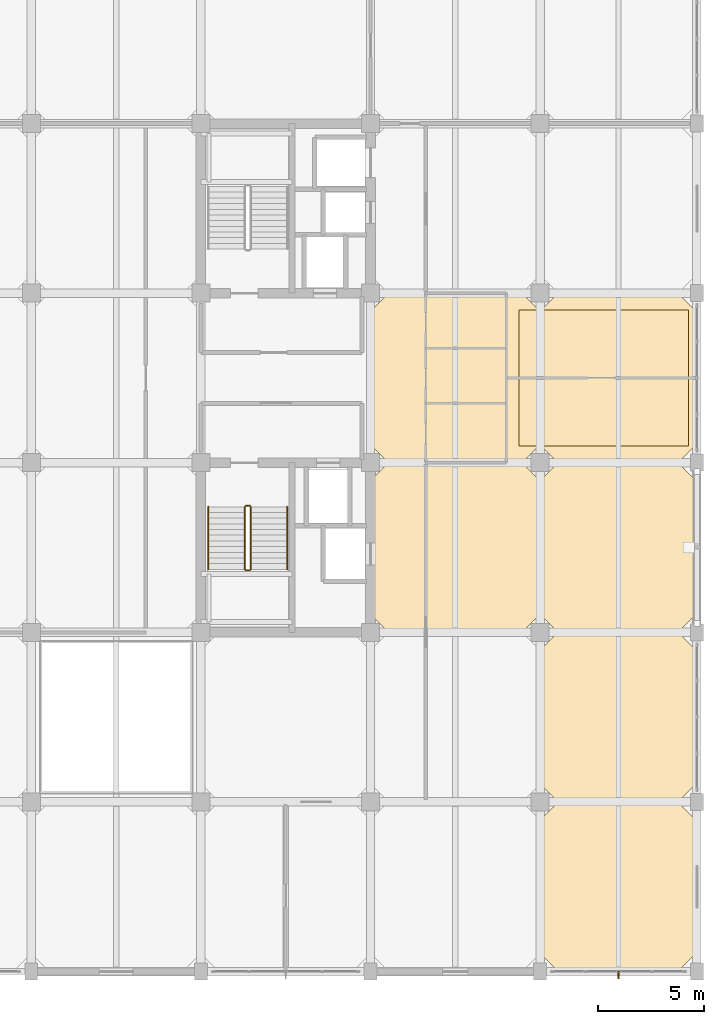
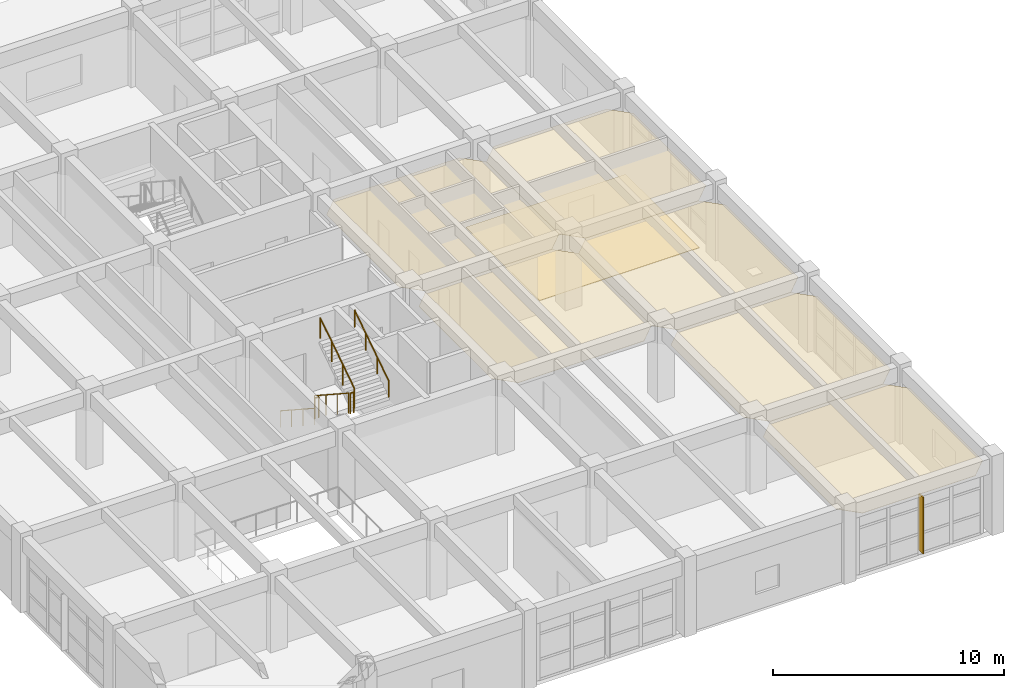
# One storey, part 28 of 30: 7 coverings, 6 railings, 1 shading device.
"""IFC4 building model written with IfcOpenShell, lengths in metres."""

from ifc_helpers import new_model, si_unit, direction, frame, origin, origin_2d, place, context, subcontext, project, spatial, polyline, rectangle, circle, outline, extrude, material, layer, layer_set, type_object, element, save


model = new_model("IFC4")

# Units and contexts
model_context = context("Model", 3, precision=1e-05, world=origin(), true_north=direction((0.0, 1.0)))
body_context = subcontext(model_context, "Body", "Model", "MODEL_VIEW")
ifc_project = project(units=[si_unit("LENGTHUNIT", "METRE"), si_unit("AREAUNIT", "SQUARE_METRE"), si_unit("VOLUMEUNIT", "CUBIC_METRE"), si_unit("PLANEANGLEUNIT", "RADIAN"), si_unit("MASSUNIT", "GRAM", prefix="KILO")], contexts=[model_context])

# Site, building, storey
site_placement = place(None, origin())
site = spatial("IfcSite", under=ifc_project, at=site_placement, CompositionType="ELEMENT")
building_placement = place(site_placement, origin())
building = spatial("IfcBuilding", under=site, at=building_placement, Name="Canggui Botanical Conservatory", CompositionType="ELEMENT")
storey_placement = place(building_placement, frame((0.0, 0.0, 19.199951171875)))
storey = spatial("IfcBuildingStorey", under=building, at=storey_placement, Name="L05", CompositionType="ELEMENT", Elevation=19.199951171875)

# Coverings
ifc_material_1 = material(Name="Mineral Fibre Acoustic Board")
ifc_layer_1 = layer(ifc_material_1, 0.014892578125, Name="Mineral Fibre Acoustic Board")
ifc_layer_set_1 = layer_set([ifc_layer_1], Name="Mineral Fibre Acoustic Board")
covering_type_1 = type_object("IfcCoveringType", Name="COV-CEIL-15", PredefinedType="CEILING", material=ifc_layer_set_1)
covering_1_placement = place(storey_placement, frame((0.0, 0.0, 3.14501953125)))
element("IfcCovering", 1, at=covering_1_placement, inside=storey, type_object=covering_type_1, Name="Suspended Acoustic Ceiling L05-162-42", PredefinedType="CEILING", context=body_context, shape_type="SweptSolid", body=[
    extrude(outline(polyline([(162.85009765625, 42.0), (169.14990234375, 42.0), (170.0, 42.85009765625), (170.0, 49.14990234375), (169.14990234375, 50.0), (162.85009765625, 50.0), (162.0, 49.14990234375), (162.0, 42.85009765625), (162.85009765625, 42.0)])), origin(), (0.0, 0.0, 1.0), 0.01513671875),
])
covering_2_placement = place(storey_placement, frame((0.0, 0.0, 3.14501953125)))
element("IfcCovering", 2, at=covering_2_placement, inside=storey, type_object=covering_type_1, Name="Suspended Acoustic Ceiling L05-170-34", PredefinedType="CEILING", context=body_context, shape_type="SweptSolid", body=[
    extrude(outline(polyline([(170.85009765625, 34.0), (176.5, 34.0), (177.35009765625, 34.85009765625), (177.35009765625, 41.14990234375), (176.5, 42.0), (170.85009765625, 42.0), (170.0, 41.14990234375), (170.0, 34.85009765625), (170.85009765625, 34.0)])), origin(), (0.0, 0.0, 1.0), 0.01513671875),
])
covering_3_placement = place(storey_placement, frame((0.0, 0.0, 3.14501953125)))
element("IfcCovering", 3, at=covering_3_placement, inside=storey, type_object=covering_type_1, Name="Suspended Acoustic Ceiling L05-170-50", PredefinedType="CEILING", context=body_context, shape_type="SweptSolid", body=[
    extrude(outline(polyline([(170.85009765625, 50.0), (176.5, 50.0), (177.35009765625, 50.85009765625), (177.35009765625, 57.14990234375), (176.5, 58.0), (170.85009765625, 58.0), (170.0, 57.14990234375), (170.0, 50.85009765625), (170.85009765625, 50.0)])), origin(), (0.0, 0.0, 1.0), 0.01513671875),
])
ifc_material_2 = material(Name="Perforated Gypsum Acoustic Panel")
ifc_layer_2 = layer(ifc_material_2, 0.02001953125, Name="Perforated Gypsum Acoustic Panel")
ifc_layer_set_2 = layer_set([ifc_layer_2], Name="Perforated Gypsum Acoustic Panel")
covering_type_2 = type_object("IfcCoveringType", Name="COV-CEIL-20", PredefinedType="CEILING", material=ifc_layer_set_2)
covering_4_placement = place(storey_placement, frame((0.0, 0.0, 3.14013671875)))
element("IfcCovering", 4, at=covering_4_placement, inside=storey, type_object=covering_type_2, Name="Suspended Acoustic Ceiling L05-162-50", PredefinedType="CEILING", context=body_context, shape_type="SweptSolid", body=[
    extrude(outline(polyline([(162.85009765625, 50.0), (169.14990234375, 50.0), (170.0, 50.85009765625), (170.0, 57.14990234375), (169.14990234375, 58.0), (162.85009765625, 58.0), (162.0, 57.14990234375), (162.0, 50.85009765625), (162.85009765625, 50.0)])), origin(), (0.0, 0.0, 1.0), 0.02001953125),
])
covering_5_placement = place(storey_placement, frame((0.0, 0.0, 3.14013671875)))
element("IfcCovering", 5, at=covering_5_placement, inside=storey, type_object=covering_type_2, Name="Suspended Acoustic Ceiling L05-170-26", PredefinedType="CEILING", context=body_context, shape_type="SweptSolid", body=[
    extrude(outline(polyline([(170.85009765625, 26.0), (176.5, 26.0), (177.35009765625, 26.85009765625), (177.35009765625, 33.14990234375), (176.5, 34.0), (170.85009765625, 34.0), (170.0, 33.14990234375), (170.0, 26.85009765625), (170.85009765625, 26.0)])), origin(), (0.0, 0.0, 1.0), 0.02001953125),
])
covering_6_placement = place(storey_placement, frame((0.0, 0.0, 3.14013671875)))
element("IfcCovering", 6, at=covering_6_placement, inside=storey, type_object=covering_type_2, Name="Suspended Acoustic Ceiling L05-170-42", PredefinedType="CEILING", context=body_context, shape_type="SweptSolid", body=[
    extrude(outline(polyline([(170.85009765625, 42.0), (176.5, 42.0), (177.35009765625, 42.85009765625), (177.35009765625, 49.14990234375), (176.5, 50.0), (170.85009765625, 50.0), (170.0, 49.14990234375), (170.0, 42.85009765625), (170.85009765625, 42.0)])), origin(), (0.0, 0.0, 1.0), 0.02001953125),
])
ifc_material_3 = material(Name="Honed Granite Stone Tile", Category="masonry")
ifc_layer_3 = layer(ifc_material_3, 0.02001953125, Name="Honed Granite Stone Tile", Category="masonry")
ifc_layer_set_3 = layer_set([ifc_layer_3], Name="Honed Granite Stone Tile")
covering_type_3 = type_object("IfcCoveringType", Name="COV-FLR-20", PredefinedType="FLOORING", material=ifc_layer_set_3)
covering_7_placement = place(storey_placement, origin())
element("IfcCovering", 7, at=covering_7_placement, inside=storey, type_object=covering_type_3, Name="Laboratory Finish Flooring L05", PredefinedType="FLOORING", context=body_context, shape_type="SweptSolid", body=[
    extrude(outline(polyline([(169.0, 50.800048828125), (177.0, 50.800048828125), (177.0, 57.199951171875), (169.0, 57.199951171875), (169.0, 50.800048828125)])), origin(), (0.0, 0.0, 1.0), 0.02001953125),
])

# Railings
ifc_material_4 = material(Name="Stainless Steel 304", Category="steel")
railing_type_1 = type_object("IfcRailingType", Name="RAIL-GUARD-1100", PredefinedType="BALUSTRADE", material=ifc_material_4)
railing_1_placement = place(storey_placement, frame((156.070068359375, 47.919921875, 0.175048828125)))
element("IfcRailing", 8, at=railing_1_placement, inside=storey, type_object=railing_type_1, Name="L05 ST-T1 stair guard 1", PredefinedType="BALUSTRADE", context=body_context, shape_type="SweptSolid", body=[
    extrude(circle(Radius=0.02392578125, at=origin_2d()), frame((0.0, 0.0, 1.076171875), z_axis=(0.0, -0.837293178872, 0.54675417933), x_axis=(1.0, 0.0, 0.0)), (0.0, 0.0, 1.0), 3.520751953125),
    extrude(circle(Radius=0.02099609375, at=origin_2d()), origin(), (0.0, 0.0, 1.0), 1.052001953125),
    extrude(circle(Radius=0.02099609375, at=origin_2d()), frame((0.0, -0.982666015625, 0.6416015625)), (0.0, 0.0, 1.0), 1.052001953125),
    extrude(circle(Radius=0.02099609375, at=origin_2d()), frame((0.0, -1.96533203125, 1.283447265625)), (0.0, 0.0, 1.0), 1.052001953125),
    extrude(circle(Radius=0.02099609375, at=origin_2d()), frame((0.0, -2.947998046875, 1.925048828125)), (0.0, 0.0, 1.0), 1.052001953125),
])
railing_2_placement = place(storey_placement, frame((156.1201171875, 44.922119140625, 2.10009765625)))
element("IfcRailing", 9, at=railing_2_placement, inside=storey, type_object=railing_type_1, Name="L05 ST-T1 stair guard 2", PredefinedType="BALUSTRADE", context=body_context, shape_type="SweptSolid", body=[
    extrude(circle(Radius=0.02392578125, at=origin_2d()), frame((0.0, 0.0, 1.076171875), z_axis=(1.0, 0.0, 0.0), x_axis=(0.0, 1.0, 0.0)), (0.0, 0.0, 1.0), 0.179931640625),
    extrude(circle(Radius=0.02099609375, at=origin_2d()), origin(), (0.0, 0.0, 1.0), 1.052001953125),
    extrude(circle(Radius=0.02099609375, at=origin_2d()), frame((0.179931640625, 0.0, 0.0)), (0.0, 0.0, 1.0), 1.052001953125),
])
railing_3_placement = place(storey_placement, frame((156.35009765625, 44.971923828125, 2.275146484375)))
element("IfcRailing", 10, at=railing_3_placement, inside=storey, type_object=railing_type_1, Name="L05 ST-T1 stair guard 3", PredefinedType="BALUSTRADE", context=body_context, shape_type="SweptSolid", body=[
    extrude(circle(Radius=0.02392578125, at=origin_2d()), frame((0.0, 0.0, 1.076171875), z_axis=(0.0, 0.837324922549, 0.546705564338), x_axis=(-1.0, 0.0, 0.0)), (0.0, 0.0, 1.0), 3.520751953125),
    extrude(circle(Radius=0.02099609375, at=origin_2d()), origin(), (0.0, 0.0, 1.0), 1.052001953125),
    extrude(circle(Radius=0.02099609375, at=origin_2d()), frame((0.0, 0.982666015625, 0.6416015625)), (0.0, 0.0, 1.0), 1.052001953125),
    extrude(circle(Radius=0.02099609375, at=origin_2d()), frame((0.0, 1.96533203125, 1.283203125)), (0.0, 0.0, 1.0), 1.052001953125),
    extrude(circle(Radius=0.02099609375, at=origin_2d()), frame((0.0, 2.947998046875, 1.9248046875)), (0.0, 0.0, 1.0), 1.052001953125),
])
railing_4_placement = place(storey_placement, frame((156.1201171875, 47.969970703125, 0.0)))
element("IfcRailing", 11, at=railing_4_placement, inside=storey, type_object=railing_type_1, Name="L05 ST-T1 stair guard 4", PredefinedType="BALUSTRADE", context=body_context, shape_type="SweptSolid", body=[
    extrude(circle(Radius=0.02392578125, at=origin_2d()), frame((0.0, 0.0, 1.076171875), z_axis=(1.0, 0.0, 0.0), x_axis=(0.0, 1.0, 0.0)), (0.0, 0.0, 1.0), 0.179931640625),
    extrude(circle(Radius=0.02099609375, at=origin_2d()), origin(), (0.0, 0.0, 1.0), 1.052001953125),
    extrude(circle(Radius=0.02099609375, at=origin_2d()), frame((0.179931640625, 0.0, 0.0)), (0.0, 0.0, 1.0), 1.052001953125),
])
railing_type_2 = type_object("IfcRailingType", Name="RAIL-HAND-900", PredefinedType="HANDRAIL", material=ifc_material_4)
railing_5_placement = place(storey_placement, frame((154.35009765625, 47.919921875, 0.175048828125)))
element("IfcRailing", 12, at=railing_5_placement, inside=storey, type_object=railing_type_2, Name="L05 ST-T1 stair handrail 1", PredefinedType="HANDRAIL", context=body_context, shape_type="SweptSolid", body=[
    extrude(circle(Radius=0.02392578125, at=origin_2d()), frame((0.0, 0.0, 0.8759765625), z_axis=(0.0, -0.837293178872, 0.54675417933), x_axis=(1.0, 0.0, 0.0)), (0.0, 0.0, 1.0), 3.520751953125),
    extrude(circle(Radius=0.02099609375, at=origin_2d()), origin(), (0.0, 0.0, 1.0), 0.851806640625),
    extrude(circle(Radius=0.02099609375, at=origin_2d()), frame((0.0, -0.982666015625, 0.6416015625)), (0.0, 0.0, 1.0), 0.851806640625),
    extrude(circle(Radius=0.02099609375, at=origin_2d()), frame((0.0, -1.96533203125, 1.283447265625)), (0.0, 0.0, 1.0), 0.851806640625),
    extrude(circle(Radius=0.02099609375, at=origin_2d()), frame((0.0, -2.947998046875, 1.925048828125)), (0.0, 0.0, 1.0), 0.851806640625),
])
railing_6_placement = place(storey_placement, frame((158.070068359375, 44.971923828125, 2.275146484375)))
element("IfcRailing", 13, at=railing_6_placement, inside=storey, type_object=railing_type_2, Name="L05 ST-T1 stair handrail 2", PredefinedType="HANDRAIL", context=body_context, shape_type="SweptSolid", body=[
    extrude(circle(Radius=0.02392578125, at=origin_2d()), frame((0.0, 0.0, 0.8759765625), z_axis=(0.0, 0.837324922549, 0.546705564338), x_axis=(-1.0, 0.0, 0.0)), (0.0, 0.0, 1.0), 3.520751953125),
    extrude(circle(Radius=0.02099609375, at=origin_2d()), origin(), (0.0, 0.0, 1.0), 0.851806640625),
    extrude(circle(Radius=0.02099609375, at=origin_2d()), frame((0.0, 0.982666015625, 0.6416015625)), (0.0, 0.0, 1.0), 0.851806640625),
    extrude(circle(Radius=0.02099609375, at=origin_2d()), frame((0.0, 1.96533203125, 1.283203125)), (0.0, 0.0, 1.0), 0.851806640625),
    extrude(circle(Radius=0.02099609375, at=origin_2d()), frame((0.0, 2.947998046875, 1.9248046875)), (0.0, 0.0, 1.0), 0.851806640625),
])

# Shading device
ifc_material_5 = material(Name="Anodised Aluminium", Category="aluminium")
shading_device_type = type_object("IfcShadingDeviceType", Name="SHD-FIN02", PredefinedType="AWNING", material=ifc_material_5)
shading_device_placement = place(storey_placement, frame((173.699951171875, 25.8349609375, 0.199951171875), z_axis=(0.0, 0.0, 1.0), x_axis=(-1.0, 0.0, 0.0)))
element("IfcShadingDevice", 14, at=shading_device_placement, inside=storey, type_object=shading_device_type, Name="Solar Shading Fin CW-TWR-L05-01", PredefinedType="AWNING", context=body_context, shape_type="SweptSolid", body=[
    extrude(rectangle(XDim=0.06005859375, YDim=0.360107421875, at=origin_2d()), origin(), (0.0, 0.0, 1.0), 3.0),
])

save(model, "model.ifc")
